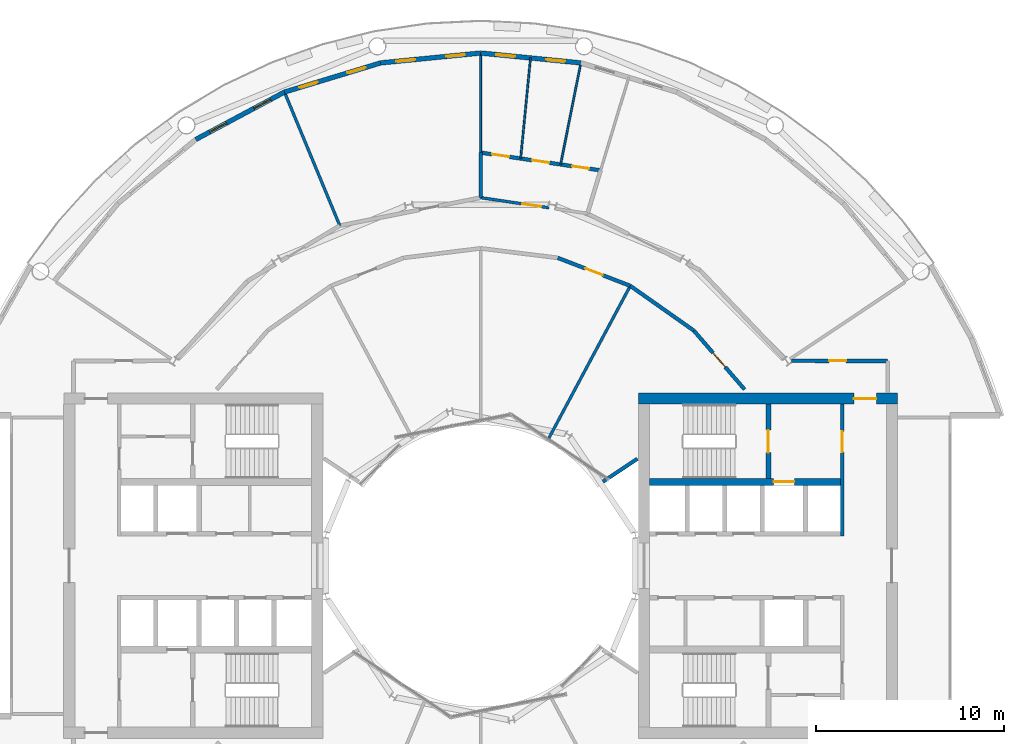
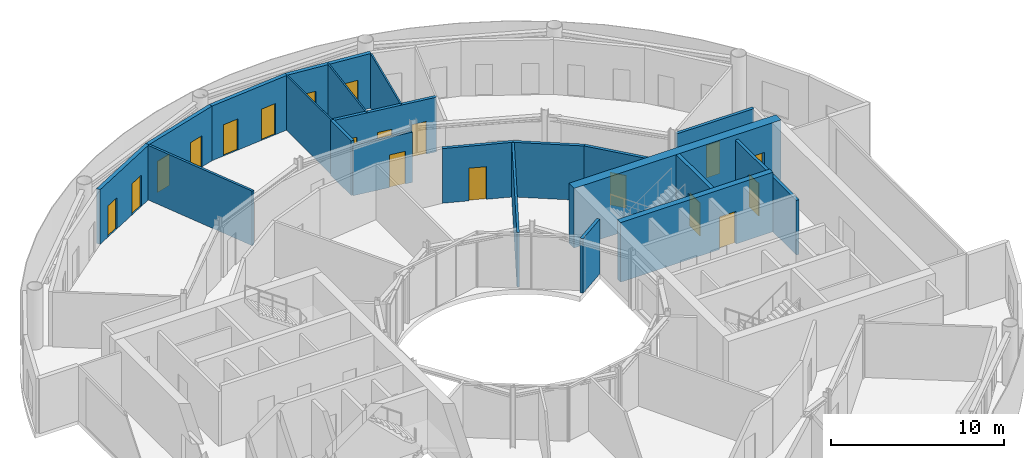
# One storey, part 17 of 21: 21 walls, 19 doors, 19 openings.
"""IFC4 building model written with IfcOpenShell, lengths in metres."""

from ifc_helpers import new_model, si_unit, direction, frame, frame_2d, origin, place, context, subcontext, project, spatial, rectangle, extrude, material, layer, layer_set, type_object, element, fill, save


model = new_model("IFC4")

# Units and contexts
model_context = context("Model", 3, precision=1e-05, world=origin(), true_north=direction((0.0, 1.0)))
body_context = subcontext(model_context, "Body", "Model", "MODEL_VIEW")
ifc_project = project(units=[si_unit("LENGTHUNIT", "METRE"), si_unit("AREAUNIT", "SQUARE_METRE"), si_unit("VOLUMEUNIT", "CUBIC_METRE"), si_unit("PLANEANGLEUNIT", "RADIAN"), si_unit("MASSUNIT", "GRAM", prefix="KILO")], contexts=[model_context])

# Site, building, storey
site_placement = place(None, origin())
site = spatial("IfcSite", under=ifc_project, at=site_placement, CompositionType="ELEMENT")
building_placement = place(site_placement, origin())
building = spatial("IfcBuilding", under=site, at=building_placement, Name="Maasbend Ring Residences", CompositionType="ELEMENT")
storey_placement = place(building_placement, frame((0.0, 0.0, 107.449951171875)))
storey = spatial("IfcBuildingStorey", under=building, at=storey_placement, Name="L30", CompositionType="ELEMENT", Elevation=107.449951171875)

# Wall, opening, door
ifc_material_1 = material(Name="Concrete C60/75", Category="concrete")
ifc_layer_1 = layer(ifc_material_1, 0.25)
ifc_layer_set_1 = layer_set([ifc_layer_1], Name="Concrete C60/75")
wall_type_1 = type_object("IfcWallType", Name="CORE WALL 250 C60/75", PredefinedType="SHEAR", material=ifc_layer_set_1)
wall_1_placement = place(storey_placement, frame((15.324951171875, 4.64990234375, 0.0), z_axis=(0.0, 0.0, 1.0), x_axis=(0.0, 1.0, 0.0)))
wall_1 = element("IfcWall", 1, at=wall_1_placement, inside=storey, type_object=wall_type_1, Name="L30 core E wall STEN", PredefinedType="SHEAR", context=body_context, shape_type="SweptSolid", body=[
    extrude(rectangle(XDim=3.9501953125, YDim=0.25, at=frame_2d((1.97509765625, 0.0))), origin(), (0.0, 0.0, 1.0), 4.199951171875),
])
opening_1_placement = place(wall_1_placement, frame((1.375, 0.0, 0.0)))
opening_1 = element("IfcOpeningElement", 2, at=opening_1_placement, cuts=wall_1, Name="Opening D-E3010", PredefinedType="OPENING", context=body_context, shape_type="SweptSolid", body=[
    extrude(rectangle(XDim=1.199951171875, YDim=2.300048828125, at=frame_2d((0.60009765625, 1.14990234375))), frame((0.0, 0.135009765625, 0.0), z_axis=(0.0, -1.0, 0.0), x_axis=(1.0, 0.0, 0.0)), (0.0, 0.0, 1.0), 0.27001953125),
])
ifc_material_2 = material(Name="Steel, powder coated", Category="steel")
door_type_1 = type_object("IfcDoorType", Name="STAIR DOOR 1200 X 2300 FD60", OperationType="NOTDEFINED", PredefinedType="DOOR", material=ifc_material_2)
door_1_placement = place(opening_1_placement, origin())
door_1 = element("IfcDoor", 3, at=door_1_placement, inside=storey, type_object=door_type_1, Name="Stair door ST-E L30", OperationType="SINGLE_SWING_LEFT", OverallHeight=2.300048828125, OverallWidth=1.199951171875, PredefinedType="DOOR", context=body_context, shape_type="SweptSolid", body=[
    extrude(rectangle(XDim=1.199951171875, YDim=2.300048828125, at=frame_2d((0.60009765625, 1.14990234375))), frame((0.0, 0.02490234375, 0.0), z_axis=(0.0, -1.0, 0.0), x_axis=(1.0, 0.0, 0.0)), (0.0, 0.0, 1.0), 0.050048828125),
])
fill(opening_1, door_1)

ifc_material_3 = material(Name="Concrete C60/75", Category="concrete")
ifc_layer_2 = layer(ifc_material_3, 0.375)
ifc_layer_set_2 = layer_set([ifc_layer_2], Name="Concrete C60/75")
wall_type_2 = type_object("IfcWallType", Name="CORE WALL 375 C60/75", PredefinedType="SHEAR", material=ifc_layer_set_2)
wall_2_placement = place(storey_placement, frame((9.0, 4.46240234375, 0.0), z_axis=(0.0, 0.0, 1.0), x_axis=(1.0, 0.0, 0.0)))
wall_2 = element("IfcWall", 4, at=wall_2_placement, inside=storey, type_object=wall_type_2, Name="L30 core E wall BN", PredefinedType="SHEAR", context=body_context, shape_type="SweptSolid", body=[
    extrude(rectangle(XDim=10.14990234375, YDim=0.375, at=frame_2d((5.074951171875, 0.0))), origin(), (0.0, 0.0, 1.0), 4.199951171875),
])
opening_2_placement = place(wall_2_placement, frame((6.60009765625, 0.0, 0.0)))
opening_2 = element("IfcOpeningElement", 5, at=opening_2_placement, cuts=wall_2, Name="Opening LD-E3004", PredefinedType="OPENING", context=body_context, shape_type="SweptSolid", body=[
    extrude(rectangle(XDim=1.10009765625, YDim=2.300048828125, at=frame_2d((0.550048828125, 1.14990234375))), frame((0.0, 0.197509765625, 0.0), z_axis=(0.0, -1.0, 0.0), x_axis=(1.0, 0.0, 0.0)), (0.0, 0.0, 1.0), 0.39501953125),
])
ifc_material_4 = material(Name="Stainless steel 316", Category="steel")
door_type_2 = type_object("IfcDoorType", Name="LANDING DOOR 1100 X 2300 FD60", OperationType="DOUBLE_DOOR_SLIDING", PredefinedType="DOOR", material=ifc_material_4)
door_2_placement = place(opening_2_placement, origin())
door_2 = element("IfcDoor", 6, at=door_2_placement, inside=storey, type_object=door_type_2, Name="Landing door FF-E L30", OperationType="DOUBLE_DOOR_SLIDING", OverallHeight=2.300048828125, OverallWidth=1.10009765625, PredefinedType="DOOR", context=body_context, shape_type="SweptSolid", body=[
    extrude(rectangle(XDim=1.10009765625, YDim=2.300048828125, at=frame_2d((0.550048828125, 1.14990234375))), frame((0.0, 0.02490234375, 0.0), z_axis=(0.0, -1.0, 0.0), x_axis=(1.0, 0.0, 0.0)), (0.0, 0.0, 1.0), 0.050048828125),
])
fill(opening_2, door_2)

ifc_material_5 = material(Name="Concrete C60/75", Category="concrete")
ifc_layer_3 = layer(ifc_material_5, 0.60009765625)
ifc_layer_set_3 = layer_set([ifc_layer_3], Name="Concrete C60/75")
wall_type_3 = type_object("IfcWallType", Name="CORE WALL 600 C60/75", PredefinedType="SHEAR", material=ifc_layer_set_3)
wall_3_placement = place(storey_placement, frame((22.199951171875, 8.89990234375, 0.0), z_axis=(0.0, 0.0, 1.0), x_axis=(-1.0, 0.0, 0.0)))
wall_3 = element("IfcWall", 7, at=wall_3_placement, inside=storey, type_object=wall_type_3, Name="L30 core E wall PN", PredefinedType="SHEAR", context=body_context, shape_type="SweptSolid", body=[
    extrude(rectangle(XDim=13.800048828125, YDim=0.60009765625, at=frame_2d((6.89990234375, 0.0))), origin(), (0.0, 0.0, 1.0), 4.199951171875),
])
opening_3_placement = place(wall_3_placement, frame((1.125, 0.0, 0.0)))
opening_3 = element("IfcOpeningElement", 8, at=opening_3_placement, cuts=wall_3, Name="Opening D-E3014", PredefinedType="OPENING", context=body_context, shape_type="SweptSolid", body=[
    extrude(rectangle(XDim=1.199951171875, YDim=2.300048828125, at=frame_2d((0.60009765625, 1.14990234375))), frame((0.0, 0.31005859375, 0.0), z_axis=(0.0, -1.0, 0.0), x_axis=(1.0, 0.0, 0.0)), (0.0, 0.0, 1.0), 0.6201171875),
])
ifc_material_6 = material(Name="Steel, powder coated", Category="steel")
door_type_3 = type_object("IfcDoorType", Name="CORRIDOR DOOR 1200 X 2300 FD30S", OperationType="NOTDEFINED", PredefinedType="DOOR", material=ifc_material_6)
door_3_placement = place(opening_3_placement, origin())
door_3 = element("IfcDoor", 9, at=door_3_placement, inside=storey, type_object=door_type_3, Name="Corridor door L30", OperationType="SINGLE_SWING_RIGHT", OverallHeight=2.300048828125, OverallWidth=1.199951171875, PredefinedType="DOOR", context=body_context, shape_type="SweptSolid", body=[
    extrude(rectangle(XDim=1.199951171875, YDim=2.300048828125, at=frame_2d((0.60009765625, 1.14990234375))), frame((0.0, 0.02490234375, 0.0), z_axis=(0.0, -1.0, 0.0), x_axis=(1.0, 0.0, 0.0)), (0.0, 0.0, 1.0), 0.050048828125),
])
fill(opening_3, door_3)

# Wall
ifc_material_7 = material(Name="Concrete C30/37", Category="concrete")
ifc_layer_4 = layer(ifc_material_7, 0.199951171875)
ifc_layer_set_4 = layer_set([ifc_layer_4], Name="Concrete C30/37")
wall_type_4 = type_object("IfcWallType", Name="CORRIDOR WALL 200 CONCRETE", PredefinedType="PARTITIONING", material=ifc_layer_set_4)
wall_4_placement = place(storey_placement, frame((0.0, 19.60009765625, 0.0), z_axis=(0.0, 0.0, 1.0), x_axis=(0.0, 1.0, 0.0)))
element("IfcWall", 10, at=wall_4_placement, inside=storey, type_object=wall_type_4, Name="U-L30-w035", PredefinedType="PARTITIONING", context=body_context, shape_type="SweptSolid", body=[
    extrude(rectangle(XDim=2.39990234375, YDim=0.199951171875, at=frame_2d((1.199951171875, 0.0))), origin(), (0.0, 0.0, 1.0), 3.85009765625),
])

# Wall, opening, door
wall_5_placement = place(storey_placement, frame((16.541015625, 10.912109375, 0.0), z_axis=(0.0, 0.0, 1.0), x_axis=(0.999997173357, -0.002377662213, 0.0)))
wall_5 = element("IfcWall", 11, at=wall_5_placement, inside=storey, type_object=wall_type_4, Name="U-L30-w049", PredefinedType="PARTITIONING", context=body_context, shape_type="SweptSolid", body=[
    extrude(rectangle(XDim=5.134033203125, YDim=0.199951171875, at=frame_2d((2.56689453125, 0.0))), origin(), (0.0, 0.0, 1.0), 3.85009765625),
])
opening_4_placement = place(wall_5_placement, frame((2.012939453125, 0.0, 0.0)))
opening_4 = element("IfcOpeningElement", 12, at=opening_4_placement, cuts=wall_5, Name="Opening D-3026", PredefinedType="OPENING", context=body_context, shape_type="SweptSolid", body=[
    extrude(rectangle(XDim=0.89990234375, YDim=2.300048828125, at=frame_2d((0.449951171875, 1.14990234375))), frame((0.0, 0.10986328125, 0.0), z_axis=(0.0, -1.0, 0.0), x_axis=(1.0, 0.0, 0.0)), (0.0, 0.0, 1.0), 0.219970703125),
])
ifc_material_8 = material(Name="Steel, fire-rated, painted", Category="steel")
door_type_4 = type_object("IfcDoorType", Name="SERVICE DOOR 900 X 2300 FIRE-RATED", OperationType="NOTDEFINED", PredefinedType="DOOR", material=ifc_material_8)
door_4_placement = place(opening_4_placement, origin())
door_4 = element("IfcDoor", 13, at=door_4_placement, inside=storey, type_object=door_type_4, Name="D-3026", OperationType="SINGLE_SWING_LEFT", OverallHeight=2.300048828125, OverallWidth=0.89990234375, PredefinedType="DOOR", context=body_context, shape_type="SweptSolid", body=[
    extrude(rectangle(XDim=0.89990234375, YDim=2.300048828125, at=frame_2d((0.449951171875, 1.14990234375))), frame((0.0, 0.02490234375, 0.0), z_axis=(0.0, -1.0, 0.0), x_axis=(1.0, 0.0, 0.0)), (0.0, 0.0, 1.0), 0.050048828125),
])
fill(opening_4, door_4)

wall_6_placement = place(storey_placement, frame((4.10595703125, 16.39404296875, 0.0), z_axis=(0.0, 0.0, 1.0), x_axis=(0.932943640288, -0.360022449363, 0.0)))
wall_6 = element("IfcWall", 14, at=wall_6_placement, inside=storey, type_object=wall_type_4, Name="U-L30-w055", PredefinedType="PARTITIONING", context=body_context, shape_type="SweptSolid", body=[
    extrude(rectangle(XDim=4.138671875, YDim=0.199951171875, at=frame_2d((2.0693359375, 0.0))), origin(), (0.0, 0.0, 1.0), 3.85009765625),
])
opening_5_placement = place(wall_6_placement, frame((1.569091796875, 0.0, 0.0)))
opening_5 = element("IfcOpeningElement", 15, at=opening_5_placement, cuts=wall_6, Name="Opening D-3013", PredefinedType="OPENING", context=body_context, shape_type="SweptSolid", body=[
    extrude(rectangle(XDim=1.0, YDim=2.300048828125, at=frame_2d((0.5, 1.14990234375))), frame((0.0, 0.10986328125, 0.0), z_axis=(0.0, -1.0, 0.0), x_axis=(1.0, 0.0, 0.0)), (0.0, 0.0, 1.0), 0.219970703125),
])
ifc_material_9 = material(Name="Timber, painted", Category="wood")
door_type_5 = type_object("IfcDoorType", Name="ROOM DOOR 1000 X 2300", OperationType="NOTDEFINED", PredefinedType="DOOR", material=ifc_material_9)
door_5_placement = place(opening_5_placement, origin())
door_5 = element("IfcDoor", 16, at=door_5_placement, inside=storey, type_object=door_type_5, Name="D-3013", OperationType="SINGLE_SWING_LEFT", OverallHeight=2.300048828125, OverallWidth=1.0, PredefinedType="DOOR", context=body_context, shape_type="SweptSolid", body=[
    extrude(rectangle(XDim=1.0, YDim=2.300048828125, at=frame_2d((0.5, 1.14990234375))), frame((0.0, 0.02490234375, 0.0), z_axis=(0.0, -1.0, 0.0), x_axis=(1.0, 0.0, 0.0)), (0.0, 0.0, 1.0), 0.050048828125),
])
fill(opening_5, door_5)

# Wall
wall_7_placement = place(storey_placement, frame((7.967041015625, 14.904052734375, 0.0), z_axis=(0.0, 0.0, 1.0), x_axis=(0.817567680547, -0.575832517079, 0.0)))
element("IfcWall", 17, at=wall_7_placement, inside=storey, type_object=wall_type_4, Name="U-L30-w056", PredefinedType="PARTITIONING", context=body_context, shape_type="SweptSolid", body=[
    extrude(rectangle(XDim=4.13671875, YDim=0.199951171875, at=frame_2d((2.068359375, 0.0))), origin(), (0.0, 0.0, 1.0), 3.85009765625),
])

# Wall, opening, door
wall_8_placement = place(storey_placement, frame((11.34912109375, 12.52197265625, 0.0), z_axis=(0.0, 0.0, 1.0), x_axis=(0.653212695939, -0.757174467256, 0.0)))
wall_8 = element("IfcWall", 18, at=wall_8_placement, inside=storey, type_object=wall_type_4, Name="U-L30-w057", PredefinedType="PARTITIONING", context=body_context, shape_type="SweptSolid", body=[
    extrude(rectangle(XDim=4.137939453125, YDim=0.199951171875, at=frame_2d((2.06884765625, 0.0))), origin(), (0.0, 0.0, 1.0), 3.85009765625),
])
opening_6_placement = place(wall_8_placement, frame((1.569091796875, 0.0, 0.0)))
opening_6 = element("IfcOpeningElement", 19, at=opening_6_placement, cuts=wall_8, Name="Opening D-3012", PredefinedType="OPENING", context=body_context, shape_type="SweptSolid", body=[
    extrude(rectangle(XDim=1.0, YDim=2.300048828125, at=frame_2d((0.5, 1.14990234375))), frame((0.0, 0.10986328125, 0.0), z_axis=(0.0, -1.0, 0.0), x_axis=(1.0, 0.0, 0.0)), (0.0, 0.0, 1.0), 0.219970703125),
])
door_6_placement = place(opening_6_placement, origin())
door_6 = element("IfcDoor", 20, at=door_6_placement, inside=storey, type_object=door_type_5, Name="D-3012", OperationType="SINGLE_SWING_LEFT", OverallHeight=2.300048828125, OverallWidth=1.0, PredefinedType="DOOR", context=body_context, shape_type="SweptSolid", body=[
    extrude(rectangle(XDim=1.0, YDim=2.300048828125, at=frame_2d((0.5, 1.14990234375))), frame((0.0, 0.02490234375, 0.0), z_axis=(0.0, -1.0, 0.0), x_axis=(1.0, 0.0, 0.0)), (0.0, 0.0, 1.0), 0.050048828125),
])
fill(opening_6, door_6)

# Wall, openings, doors
wall_9_placement = place(storey_placement, frame((-0.009033203125, 22.0, 0.0), z_axis=(0.0, 0.0, 1.0), x_axis=(0.989212179465, -0.146489808511, 0.0)))
wall_9 = element("IfcWall", 21, at=wall_9_placement, inside=storey, type_object=wall_type_4, Name="U-L30-w069", PredefinedType="PARTITIONING", context=body_context, shape_type="SweptSolid", body=[
    extrude(rectangle(XDim=6.46484375, YDim=0.199951171875, at=frame_2d((3.232421875, 0.0))), origin(), (0.0, 0.0, 1.0), 3.85009765625),
])
opening_7_placement = place(wall_9_placement, frame((4.93896484375, 0.0, 0.0)))
opening_7 = element("IfcOpeningElement", 22, at=opening_7_placement, cuts=wall_9, Name="Opening D-3002", PredefinedType="OPENING", context=body_context, shape_type="SweptSolid", body=[
    extrude(rectangle(XDim=0.89990234375, YDim=2.300048828125, at=frame_2d((0.449951171875, 1.14990234375))), frame((0.0, 0.10986328125, 0.0), z_axis=(0.0, -1.0, 0.0), x_axis=(1.0, 0.0, 0.0)), (0.0, 0.0, 1.0), 0.219970703125),
])
opening_8_placement = place(wall_9_placement, frame((2.787109375, 0.0, 0.0)))
opening_8 = element("IfcOpeningElement", 23, at=opening_8_placement, cuts=wall_9, Name="Opening D-3003", PredefinedType="OPENING", context=body_context, shape_type="SweptSolid", body=[
    extrude(rectangle(XDim=0.89990234375, YDim=2.300048828125, at=frame_2d((0.449951171875, 1.14990234375))), frame((0.0, 0.10986328125, 0.0), z_axis=(0.0, -1.0, 0.0), x_axis=(1.0, 0.0, 0.0)), (0.0, 0.0, 1.0), 0.219970703125),
])
opening_9_placement = place(wall_9_placement, frame((0.635009765625, 0.0, 0.0)))
opening_9 = element("IfcOpeningElement", 24, at=opening_9_placement, cuts=wall_9, Name="Opening D-3004", PredefinedType="OPENING", context=body_context, shape_type="SweptSolid", body=[
    extrude(rectangle(XDim=0.89990234375, YDim=2.300048828125, at=frame_2d((0.449951171875, 1.14990234375))), frame((0.0, 0.10986328125, 0.0), z_axis=(0.0, -1.0, 0.0), x_axis=(1.0, 0.0, 0.0)), (0.0, 0.0, 1.0), 0.219970703125),
])
ifc_material_10 = material(Name="Timber, painted", Category="wood")
door_type_6 = type_object("IfcDoorType", Name="INTERNAL DOOR 900 X 2300", OperationType="NOTDEFINED", PredefinedType="DOOR", material=ifc_material_10)
door_7_placement = place(opening_7_placement, origin())
door_7 = element("IfcDoor", 25, at=door_7_placement, inside=storey, type_object=door_type_6, Name="D-3002", OperationType="SINGLE_SWING_RIGHT", OverallHeight=2.300048828125, OverallWidth=0.89990234375, PredefinedType="DOOR", context=body_context, shape_type="SweptSolid", body=[
    extrude(rectangle(XDim=0.89990234375, YDim=2.300048828125, at=frame_2d((0.449951171875, 1.14990234375))), frame((0.0, 0.02490234375, 0.0), z_axis=(0.0, -1.0, 0.0), x_axis=(1.0, 0.0, 0.0)), (0.0, 0.0, 1.0), 0.050048828125),
])
fill(opening_7, door_7)
door_8_placement = place(opening_8_placement, origin())
door_8 = element("IfcDoor", 26, at=door_8_placement, inside=storey, type_object=door_type_6, Name="D-3003", OperationType="SINGLE_SWING_RIGHT", OverallHeight=2.300048828125, OverallWidth=0.89990234375, PredefinedType="DOOR", context=body_context, shape_type="SweptSolid", body=[
    extrude(rectangle(XDim=0.89990234375, YDim=2.300048828125, at=frame_2d((0.449951171875, 1.14990234375))), frame((0.0, 0.02490234375, 0.0), z_axis=(0.0, -1.0, 0.0), x_axis=(1.0, 0.0, 0.0)), (0.0, 0.0, 1.0), 0.050048828125),
])
fill(opening_8, door_8)
door_9_placement = place(opening_9_placement, origin())
door_9 = element("IfcDoor", 27, at=door_9_placement, inside=storey, type_object=door_type_6, Name="D-3004", OperationType="SINGLE_SWING_LEFT", OverallHeight=2.300048828125, OverallWidth=0.89990234375, PredefinedType="DOOR", context=body_context, shape_type="SweptSolid", body=[
    extrude(rectangle(XDim=0.89990234375, YDim=2.300048828125, at=frame_2d((0.449951171875, 1.14990234375))), frame((0.0, 0.02490234375, 0.0), z_axis=(0.0, -1.0, 0.0), x_axis=(1.0, 0.0, 0.0)), (0.0, 0.0, 1.0), 0.050048828125),
])
fill(opening_9, door_9)

ifc_material_11 = material(Name="Aluminium clad insulated panel", Category="aluminium")
ifc_layer_5 = layer(ifc_material_11, 0.25)
ifc_layer_set_5 = layer_set([ifc_layer_5], Name="EW-GL")
wall_type_5 = type_object("IfcWallType", Name="EW-GL", PredefinedType="SOLIDWALL", material=ifc_layer_set_5)
wall_10_placement = place(storey_placement, frame((5.325927734375, 26.77490234375, 0.0), z_axis=(0.0, 0.0, 1.0), x_axis=(-0.995173996315, 0.098126026407, 0.0)))
wall_10 = element("IfcWall", 28, at=wall_10_placement, inside=storey, type_object=wall_type_5, Name="External wall N05", PredefinedType="SOLIDWALL", context=body_context, shape_type="SweptSolid", body=[
    extrude(rectangle(XDim=5.351806640625, YDim=0.25, at=frame_2d((2.67578125, 0.0))), origin(), (0.0, 0.0, 1.0), 3.85009765625),
])
opening_10_placement = place(wall_10_placement, frame((0.841064453125, 0.0, 0.0)))
opening_10 = element("IfcOpeningElement", 29, at=opening_10_placement, cuts=wall_10, Name="Opening D-LG", PredefinedType="OPENING", context=body_context, shape_type="SweptSolid", body=[
    extrude(rectangle(XDim=1.0, YDim=2.199951171875, at=frame_2d((0.5, 1.10009765625))), frame((0.0, 0.135009765625, 0.0), z_axis=(0.0, -1.0, 0.0), x_axis=(1.0, 0.0, 0.0)), (0.0, 0.0, 1.0), 0.27001953125),
])
opening_11_placement = place(wall_10_placement, frame((3.510498046875, 0.0, 0.0)))
opening_11 = element("IfcOpeningElement", 30, at=opening_11_placement, cuts=wall_10, Name="Opening D-LG", PredefinedType="OPENING", context=body_context, shape_type="SweptSolid", body=[
    extrude(rectangle(XDim=1.0, YDim=2.199951171875, at=frame_2d((0.5, 1.10009765625))), frame((0.0, 0.135009765625, 0.0), z_axis=(0.0, -1.0, 0.0), x_axis=(1.0, 0.0, 0.0)), (0.0, 0.0, 1.0), 0.27001953125),
])
ifc_material_12 = material(Name="Aluminium and clear glass", Category="aluminium")
door_type_7 = type_object("IfcDoorType", Name="D-LG", OperationType="SINGLE_SWING_LEFT", PredefinedType="DOOR", material=ifc_material_12)
door_10_placement = place(opening_10_placement, origin())
door_10 = element("IfcDoor", 31, at=door_10_placement, inside=storey, type_object=door_type_7, Name="Loggia door N09", OperationType="SINGLE_SWING_LEFT", OverallHeight=2.199951171875, OverallWidth=1.0, PredefinedType="DOOR", context=body_context, shape_type="SweptSolid", body=[
    extrude(rectangle(XDim=1.0, YDim=2.199951171875, at=frame_2d((0.5, 1.10009765625))), frame((0.0, 0.02490234375, 0.0), z_axis=(0.0, -1.0, 0.0), x_axis=(1.0, 0.0, 0.0)), (0.0, 0.0, 1.0), 0.050048828125),
])
fill(opening_10, door_10)
door_11_placement = place(opening_11_placement, origin())
door_11 = element("IfcDoor", 32, at=door_11_placement, inside=storey, type_object=door_type_7, Name="Loggia door N10", OperationType="SINGLE_SWING_LEFT", OverallHeight=2.199951171875, OverallWidth=1.0, PredefinedType="DOOR", context=body_context, shape_type="SweptSolid", body=[
    extrude(rectangle(XDim=1.0, YDim=2.199951171875, at=frame_2d((0.5, 1.10009765625))), frame((0.0, 0.02490234375, 0.0), z_axis=(0.0, -1.0, 0.0), x_axis=(1.0, 0.0, 0.0)), (0.0, 0.0, 1.0), 0.050048828125),
])
fill(opening_11, door_11)

wall_11_placement = place(storey_placement, frame((0.0, 27.300048828125, 0.0), z_axis=(0.0, 0.0, 1.0), x_axis=(-0.995173996315, -0.098126026407, 0.0)))
wall_11 = element("IfcWall", 33, at=wall_11_placement, inside=storey, type_object=wall_type_5, Name="External wall N06", PredefinedType="SOLIDWALL", context=body_context, shape_type="SweptSolid", body=[
    extrude(rectangle(XDim=5.351806640625, YDim=0.25, at=frame_2d((2.67578125, 0.0))), origin(), (0.0, 0.0, 1.0), 3.85009765625),
])
opening_12_placement = place(wall_11_placement, frame((0.841064453125, 0.0, 0.0)))
opening_12 = element("IfcOpeningElement", 34, at=opening_12_placement, cuts=wall_11, Name="Opening D-LG", PredefinedType="OPENING", context=body_context, shape_type="SweptSolid", body=[
    extrude(rectangle(XDim=1.0, YDim=2.199951171875, at=frame_2d((0.5, 1.10009765625))), frame((0.0, 0.135009765625, 0.0), z_axis=(0.0, -1.0, 0.0), x_axis=(1.0, 0.0, 0.0)), (0.0, 0.0, 1.0), 0.27001953125),
])
opening_13_placement = place(wall_11_placement, frame((3.510498046875, 0.0, 0.0)))
opening_13 = element("IfcOpeningElement", 35, at=opening_13_placement, cuts=wall_11, Name="Opening D-LG", PredefinedType="OPENING", context=body_context, shape_type="SweptSolid", body=[
    extrude(rectangle(XDim=1.0, YDim=2.199951171875, at=frame_2d((0.5, 1.10009765625))), frame((0.0, 0.135009765625, 0.0), z_axis=(0.0, -1.0, 0.0), x_axis=(1.0, 0.0, 0.0)), (0.0, 0.0, 1.0), 0.27001953125),
])
door_12_placement = place(opening_12_placement, origin())
door_12 = element("IfcDoor", 36, at=door_12_placement, inside=storey, type_object=door_type_7, Name="Loggia door N11", OperationType="SINGLE_SWING_LEFT", OverallHeight=2.199951171875, OverallWidth=1.0, PredefinedType="DOOR", context=body_context, shape_type="SweptSolid", body=[
    extrude(rectangle(XDim=1.0, YDim=2.199951171875, at=frame_2d((0.5, 1.10009765625))), frame((0.0, 0.02490234375, 0.0), z_axis=(0.0, -1.0, 0.0), x_axis=(1.0, 0.0, 0.0)), (0.0, 0.0, 1.0), 0.050048828125),
])
fill(opening_12, door_12)
door_13_placement = place(opening_13_placement, origin())
door_13 = element("IfcDoor", 37, at=door_13_placement, inside=storey, type_object=door_type_7, Name="Loggia door N12", OperationType="SINGLE_SWING_LEFT", OverallHeight=2.199951171875, OverallWidth=1.0, PredefinedType="DOOR", context=body_context, shape_type="SweptSolid", body=[
    extrude(rectangle(XDim=1.0, YDim=2.199951171875, at=frame_2d((0.5, 1.10009765625))), frame((0.0, 0.02490234375, 0.0), z_axis=(0.0, -1.0, 0.0), x_axis=(1.0, 0.0, 0.0)), (0.0, 0.0, 1.0), 0.050048828125),
])
fill(opening_13, door_13)

wall_12_placement = place(storey_placement, frame((-5.325927734375, 26.77490234375, 0.0), z_axis=(0.0, 0.0, 1.0), x_axis=(-0.956965678721, -0.290201119486, 0.0)))
wall_12 = element("IfcWall", 38, at=wall_12_placement, inside=storey, type_object=wall_type_5, Name="External wall N07", PredefinedType="SOLIDWALL", context=body_context, shape_type="SweptSolid", body=[
    extrude(rectangle(XDim=5.351318359375, YDim=0.25, at=frame_2d((2.67578125, 0.0))), origin(), (0.0, 0.0, 1.0), 3.85009765625),
])
opening_14_placement = place(wall_12_placement, frame((0.841064453125, 0.0, 0.0)))
opening_14 = element("IfcOpeningElement", 39, at=opening_14_placement, cuts=wall_12, Name="Opening D-LG", PredefinedType="OPENING", context=body_context, shape_type="SweptSolid", body=[
    extrude(rectangle(XDim=1.0, YDim=2.199951171875, at=frame_2d((0.5, 1.10009765625))), frame((0.0, 0.135009765625, 0.0), z_axis=(0.0, -1.0, 0.0), x_axis=(1.0, 0.0, 0.0)), (0.0, 0.0, 1.0), 0.27001953125),
])
opening_15_placement = place(wall_12_placement, frame((3.510498046875, 0.0, 0.0)))
opening_15 = element("IfcOpeningElement", 40, at=opening_15_placement, cuts=wall_12, Name="Opening D-LG", PredefinedType="OPENING", context=body_context, shape_type="SweptSolid", body=[
    extrude(rectangle(XDim=1.0, YDim=2.199951171875, at=frame_2d((0.5, 1.10009765625))), frame((0.0, 0.135009765625, 0.0), z_axis=(0.0, -1.0, 0.0), x_axis=(1.0, 0.0, 0.0)), (0.0, 0.0, 1.0), 0.27001953125),
])
door_14_placement = place(opening_14_placement, origin())
door_14 = element("IfcDoor", 41, at=door_14_placement, inside=storey, type_object=door_type_7, Name="Loggia door N13", OperationType="SINGLE_SWING_LEFT", OverallHeight=2.199951171875, OverallWidth=1.0, PredefinedType="DOOR", context=body_context, shape_type="SweptSolid", body=[
    extrude(rectangle(XDim=1.0, YDim=2.199951171875, at=frame_2d((0.5, 1.10009765625))), frame((0.0, 0.02490234375, 0.0), z_axis=(0.0, -1.0, 0.0), x_axis=(1.0, 0.0, 0.0)), (0.0, 0.0, 1.0), 0.050048828125),
])
fill(opening_14, door_14)
door_15_placement = place(opening_15_placement, origin())
door_15 = element("IfcDoor", 42, at=door_15_placement, inside=storey, type_object=door_type_7, Name="Loggia door N14", OperationType="SINGLE_SWING_LEFT", OverallHeight=2.199951171875, OverallWidth=1.0, PredefinedType="DOOR", context=body_context, shape_type="SweptSolid", body=[
    extrude(rectangle(XDim=1.0, YDim=2.199951171875, at=frame_2d((0.5, 1.10009765625))), frame((0.0, 0.02490234375, 0.0), z_axis=(0.0, -1.0, 0.0), x_axis=(1.0, 0.0, 0.0)), (0.0, 0.0, 1.0), 0.050048828125),
])
fill(opening_15, door_15)

wall_13_placement = place(storey_placement, frame((-10.447021484375, 25.221923828125, 0.0), z_axis=(0.0, 0.0, 1.0), x_axis=(-0.881915646801, -0.471407246368, 0.0)))
wall_13 = element("IfcWall", 43, at=wall_13_placement, inside=storey, type_object=wall_type_5, Name="External wall N08", PredefinedType="SOLIDWALL", context=body_context, shape_type="SweptSolid", body=[
    extrude(rectangle(XDim=5.35205078125, YDim=0.25, at=frame_2d((2.676025390625, 0.0))), origin(), (0.0, 0.0, 1.0), 3.85009765625),
])
opening_16_placement = place(wall_13_placement, frame((0.841064453125, 0.0, 0.0)))
opening_16 = element("IfcOpeningElement", 44, at=opening_16_placement, cuts=wall_13, Name="Opening D-LG", PredefinedType="OPENING", context=body_context, shape_type="SweptSolid", body=[
    extrude(rectangle(XDim=1.0, YDim=2.199951171875, at=frame_2d((0.5, 1.10009765625))), frame((0.0, 0.135009765625, 0.0), z_axis=(0.0, -1.0, 0.0), x_axis=(1.0, 0.0, 0.0)), (0.0, 0.0, 1.0), 0.27001953125),
])
opening_17_placement = place(wall_13_placement, frame((3.510498046875, 0.0, 0.0)))
opening_17 = element("IfcOpeningElement", 45, at=opening_17_placement, cuts=wall_13, Name="Opening D-LG", PredefinedType="OPENING", context=body_context, shape_type="SweptSolid", body=[
    extrude(rectangle(XDim=1.0, YDim=2.199951171875, at=frame_2d((0.5, 1.10009765625))), frame((0.0, 0.135009765625, 0.0), z_axis=(0.0, -1.0, 0.0), x_axis=(1.0, 0.0, 0.0)), (0.0, 0.0, 1.0), 0.27001953125),
])
door_16_placement = place(opening_16_placement, origin())
door_16 = element("IfcDoor", 46, at=door_16_placement, inside=storey, type_object=door_type_7, Name="Loggia door N15", OperationType="SINGLE_SWING_LEFT", OverallHeight=2.199951171875, OverallWidth=1.0, PredefinedType="DOOR", context=body_context, shape_type="SweptSolid", body=[
    extrude(rectangle(XDim=1.0, YDim=2.199951171875, at=frame_2d((0.5, 1.10009765625))), frame((0.0, 0.02490234375, 0.0), z_axis=(0.0, -1.0, 0.0), x_axis=(1.0, 0.0, 0.0)), (0.0, 0.0, 1.0), 0.050048828125),
])
fill(opening_16, door_16)
door_17_placement = place(opening_17_placement, origin())
door_17 = element("IfcDoor", 47, at=door_17_placement, inside=storey, type_object=door_type_7, Name="Loggia door N16", OperationType="SINGLE_SWING_LEFT", OverallHeight=2.199951171875, OverallWidth=1.0, PredefinedType="DOOR", context=body_context, shape_type="SweptSolid", body=[
    extrude(rectangle(XDim=1.0, YDim=2.199951171875, at=frame_2d((0.5, 1.10009765625))), frame((0.0, 0.02490234375, 0.0), z_axis=(0.0, -1.0, 0.0), x_axis=(1.0, 0.0, 0.0)), (0.0, 0.0, 1.0), 0.050048828125),
])
fill(opening_17, door_17)

# Walls
ifc_material_13 = material(Name="Gypsum board on steel studs", Category="steel")
ifc_layer_6 = layer(ifc_material_13, 0.10009765625)
ifc_layer_set_6 = layer_set([ifc_layer_6], Name="PARTITION 100 GYPSUM")
wall_type_6 = type_object("IfcWallType", Name="PARTITION 100 GYPSUM", PredefinedType="PARTITIONING", material=ifc_layer_set_6)
wall_14_placement = place(storey_placement, frame((0.0, 22.0, 0.0), z_axis=(0.0, 0.0, 1.0), x_axis=(0.0, 1.0, 0.0)))
element("IfcWall", 48, at=wall_14_placement, inside=storey, type_object=wall_type_6, Name="U-L30-w036", PredefinedType="PARTITIONING", context=body_context, shape_type="SweptSolid", body=[
    extrude(rectangle(XDim=5.175048828125, YDim=0.10009765625, at=frame_2d((2.58740234375, 0.0))), origin(), (0.0, 0.0, 1.0), 3.85009765625),
])
wall_15_placement = place(storey_placement, frame((2.12890625, 21.68408203125, 0.0), z_axis=(0.0, 0.0, 1.0), x_axis=(0.09767265114, 0.995218595696, 0.0)))
element("IfcWall", 49, at=wall_15_placement, inside=storey, type_object=wall_type_6, Name="U-L30-w037", PredefinedType="PARTITIONING", context=body_context, shape_type="SweptSolid", body=[
    extrude(rectangle(XDim=5.386474609375, YDim=0.10009765625, at=frame_2d((2.693359375, 0.0))), origin(), (0.0, 0.0, 1.0), 3.85009765625),
])
wall_16_placement = place(storey_placement, frame((4.258056640625, 21.367919921875, 0.0), z_axis=(0.0, 0.0, 1.0), x_axis=(0.195296766469, 0.980744193461, 0.0)))
element("IfcWall", 50, at=wall_16_placement, inside=storey, type_object=wall_type_6, Name="U-L30-w040", PredefinedType="PARTITIONING", context=body_context, shape_type="SweptSolid", body=[
    extrude(rectangle(XDim=5.38671875, YDim=0.10009765625, at=frame_2d((2.693359375, 0.0))), origin(), (0.0, 0.0, 1.0), 3.85009765625),
])
ifc_material_14 = material(Name="Gypsum board on steel studs", Category="steel")
ifc_layer_7 = layer(ifc_material_14, 0.14990234375)
ifc_layer_set_7 = layer_set([ifc_layer_7], Name="PARTITION 150 GYPSUM")
wall_type_7 = type_object("IfcWallType", Name="PARTITION 150 GYPSUM", PredefinedType="PARTITIONING", material=ifc_layer_set_7)
wall_17_placement = place(storey_placement, frame((-10.39892578125, 25.10595703125, 0.0), z_axis=(0.0, 0.0, 1.0), x_axis=(0.382600411313, -0.923913916587, 0.0)))
element("IfcWall", 51, at=wall_17_placement, inside=storey, type_object=wall_type_7, Name="U-L30-w027", PredefinedType="PARTITIONING", context=body_context, shape_type="SweptSolid", body=[
    extrude(rectangle(XDim=7.574462890625, YDim=0.14990234375, at=frame_2d((3.787109375, 0.0))), origin(), (0.0, 0.0, 1.0), 3.85009765625),
])
wall_18_placement = place(storey_placement, frame((3.638916015625, 6.80810546875, 0.0), z_axis=(0.0, 0.0, 1.0), x_axis=(0.471460365694, 0.881887251059, 0.0)))
element("IfcWall", 52, at=wall_18_placement, inside=storey, type_object=wall_type_7, Name="U-L30-w039", PredefinedType="PARTITIONING", context=body_context, shape_type="SweptSolid", body=[
    extrude(rectangle(XDim=9.18017578125, YDim=0.14990234375, at=frame_2d((4.590087890625, 0.0))), origin(), (0.0, 0.0, 1.0), 3.85009765625),
])

# Wall, opening, door
wall_19_placement = place(storey_placement, frame((0.0, 19.60009765625, 0.0), z_axis=(0.0, 0.0, 1.0), x_axis=(0.989182049247, -0.146693126787, 0.0)))
wall_19 = element("IfcWall", 53, at=wall_19_placement, inside=storey, type_object=wall_type_7, Name="U-L30-w065", PredefinedType="PARTITIONING", context=body_context, shape_type="SweptSolid", body=[
    extrude(rectangle(XDim=3.6748046875, YDim=0.14990234375, at=frame_2d((1.83740234375, 0.0))), origin(), (0.0, 0.0, 1.0), 3.5400390625),
])
opening_18_placement = place(wall_19_placement, frame((2.25, 0.0, 0.0)))
opening_18 = element("IfcOpeningElement", 54, at=opening_18_placement, cuts=wall_19, Name="Opening D-3001", PredefinedType="OPENING", context=body_context, shape_type="SweptSolid", body=[
    extrude(rectangle(XDim=1.0, YDim=2.300048828125, at=frame_2d((0.5, 1.14990234375))), frame((0.0, 0.0849609375, 0.0), z_axis=(0.0, -1.0, 0.0), x_axis=(1.0, 0.0, 0.0)), (0.0, 0.0, 1.0), 0.169921875),
])
door_18_placement = place(opening_18_placement, origin())
door_18 = element("IfcDoor", 55, at=door_18_placement, inside=storey, type_object=door_type_5, Name="D-3001", OperationType="SINGLE_SWING_RIGHT", OverallHeight=2.300048828125, OverallWidth=1.0, PredefinedType="DOOR", context=body_context, shape_type="SweptSolid", body=[
    extrude(rectangle(XDim=1.0, YDim=2.300048828125, at=frame_2d((0.5, 1.14990234375))), frame((0.0, 0.02490234375, 0.0), z_axis=(0.0, -1.0, 0.0), x_axis=(1.0, 0.0, 0.0)), (0.0, 0.0, 1.0), 0.050048828125),
])
fill(opening_18, door_18)

# Wall
ifc_material_15 = material(Name="Concrete C30/37", Category="concrete")
ifc_layer_8 = layer(ifc_material_15, 0.199951171875)
ifc_layer_set_8 = layer_set([ifc_layer_8], Name="Concrete C30/37")
wall_type_8 = type_object("IfcWallType", Name="PARTY WALL 200 CONCRETE", PredefinedType="PARTITIONING", material=ifc_layer_set_8)
wall_20_placement = place(storey_placement, frame((6.512939453125, 4.471923828125, 0.0), z_axis=(0.0, 0.0, 1.0), x_axis=(0.831333375071, 0.555774072347, 0.0)))
element("IfcWall", 56, at=wall_20_placement, inside=storey, type_object=wall_type_8, Name="U-L30-w047", PredefinedType="PARTITIONING", context=body_context, shape_type="SweptSolid", body=[
    extrude(rectangle(XDim=2.20263671875, YDim=0.199951171875, at=frame_2d((1.101318359375, 0.0))), origin(), (0.0, 0.0, 1.0), 3.85009765625),
])

# Wall, opening, door
ifc_material_16 = material(Name="Concrete C30/37", Category="concrete")
ifc_layer_9 = layer(ifc_material_16, 0.199951171875)
ifc_layer_set_9 = layer_set([ifc_layer_9], Name="Concrete C30/37")
wall_type_9 = type_object("IfcWallType", Name="SHAFT WALL 200 EI 120", PredefinedType="SOLIDWALL", material=ifc_layer_set_9)
wall_21_placement = place(storey_placement, frame((19.25, 1.574951171875, 0.0), z_axis=(0.0, 0.0, 1.0), x_axis=(0.0, 1.0, 0.0)))
wall_21 = element("IfcWall", 57, at=wall_21_placement, inside=storey, type_object=wall_type_9, Name="L30 core E wall ENDN", PredefinedType="SOLIDWALL", context=body_context, shape_type="SweptSolid", body=[
    extrude(rectangle(XDim=7.025146484375, YDim=0.199951171875, at=frame_2d((3.5126953125, 0.0))), origin(), (0.0, 0.0, 1.0), 3.85009765625),
])
opening_19_placement = place(wall_21_placement, frame((4.47509765625, 0.0, 0.0)))
opening_19 = element("IfcOpeningElement", 58, at=opening_19_placement, cuts=wall_21, Name="Opening D-E3012", PredefinedType="OPENING", context=body_context, shape_type="SweptSolid", body=[
    extrude(rectangle(XDim=1.10009765625, YDim=2.300048828125, at=frame_2d((0.550048828125, 1.14990234375))), frame((0.0, 0.10986328125, 0.0), z_axis=(0.0, -1.0, 0.0), x_axis=(1.0, 0.0, 0.0)), (0.0, 0.0, 1.0), 0.219970703125),
])
ifc_material_17 = material(Name="Steel, powder coated", Category="steel")
door_type_8 = type_object("IfcDoorType", Name="LOBBY DOOR 1100 X 2300 FD60", OperationType="NOTDEFINED", PredefinedType="DOOR", material=ifc_material_17)
door_19_placement = place(opening_19_placement, origin())
door_19 = element("IfcDoor", 59, at=door_19_placement, inside=storey, type_object=door_type_8, Name="Lobby door L30", OperationType="SINGLE_SWING_LEFT", OverallHeight=2.300048828125, OverallWidth=1.10009765625, PredefinedType="DOOR", context=body_context, shape_type="SweptSolid", body=[
    extrude(rectangle(XDim=1.10009765625, YDim=2.300048828125, at=frame_2d((0.550048828125, 1.14990234375))), frame((0.0, 0.02490234375, 0.0), z_axis=(0.0, -1.0, 0.0), x_axis=(1.0, 0.0, 0.0)), (0.0, 0.0, 1.0), 0.050048828125),
])
fill(opening_19, door_19)

save(model, "model.ifc")
